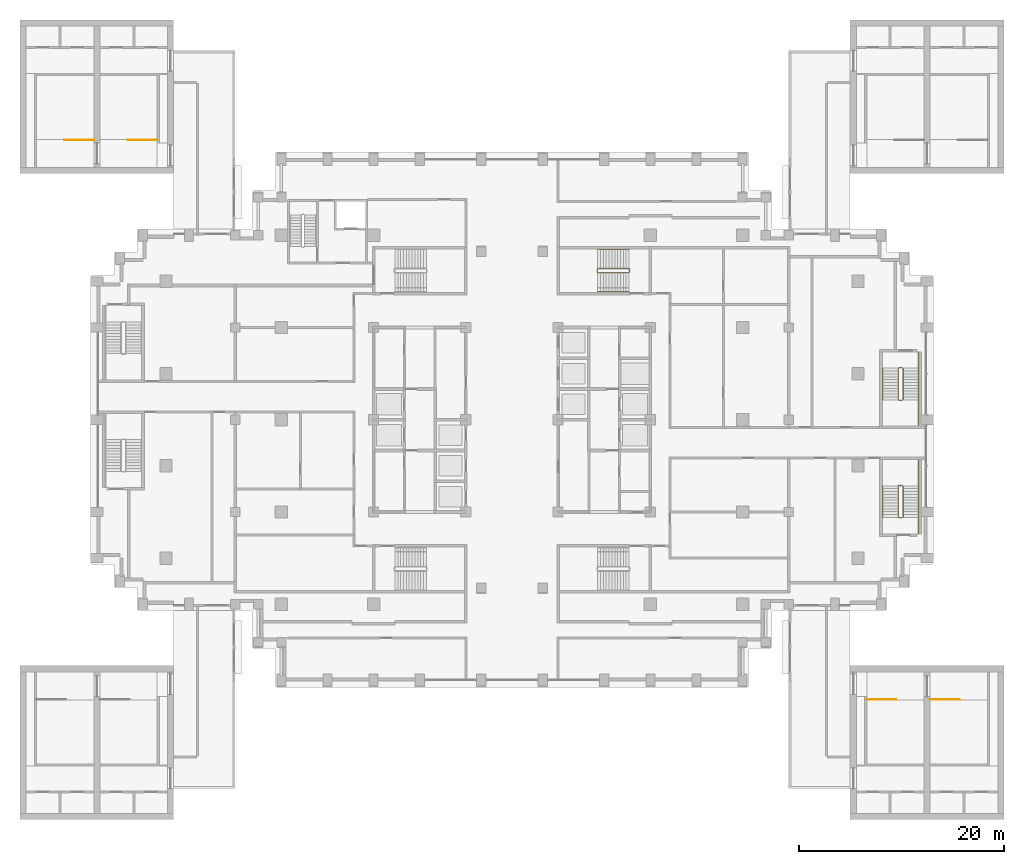
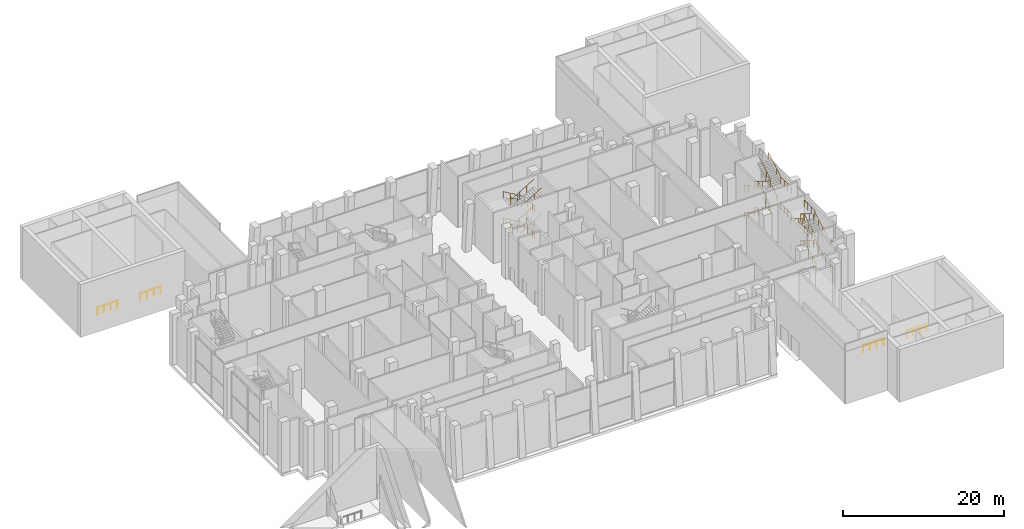
# One storey, part 22 of 24: 7 railings.
"""IFC4 building model written with IfcOpenShell, lengths in metres."""

import ifcopenshell
import ifcopenshell.guid

model = None  # the IFC model being written
_history = None  # IfcOwnerHistory: only IFC2X3 demands one
_inside = {}  # id of a spatial element -> (the spatial element, [elements in it])
_under = {}  # id of a project, library or spatial element -> (it, [spatial elements below it])
_declared = {}  # id of a project -> (the project, [libraries it declares])
_typed = {}  # id of a type object -> (the type object, [elements of that type])
_made_of = {}  # id of a material, layer set ... -> (it, [elements and type objects made of it])


def new_model(schema):
    """Start an empty IFC model of exactly this schema.

    Asked for "IFC4X3", IfcOpenShell would pick the latest addendum, in which some entities
    have other attributes; the version numbers below select the first issue.
    IFC2X3 requires an IfcOwnerHistory on every rooted entity: one is made here for all.
    """
    global model, _history
    if schema == "IFC4X3":
        model = ifcopenshell.file(schema_version=(4, 3, 0, 0))
    else:
        model = ifcopenshell.file(schema=schema)
    _inside.clear()
    _under.clear()
    _declared.clear()
    _typed.clear()
    _made_of.clear()
    _history = None
    if model.schema == "IFC2X3":
        org = make("IfcOrganization", Name="unknown")
        user = make(
            "IfcPersonAndOrganization",
            ThePerson=make("IfcPerson", FamilyName="unknown"),
            TheOrganization=org,
        )
        app = make(
            "IfcApplication",
            ApplicationDeveloper=org,
            Version="unknown",
            ApplicationFullName="unknown",
            ApplicationIdentifier="unknown",
        )
        _history = make(
            "IfcOwnerHistory",
            OwningUser=user,
            OwningApplication=app,
            ChangeAction="ADDED",
            CreationDate=0,
        )
    return model


def make(cls, **values):
    """One entity of the class cls with the attributes given. An attribute that is None is left unset."""
    return model.create_entity(
        cls, **{name: value for name, value in values.items() if value is not None}
    )


def rooted(cls, **values):
    """An entity with a GlobalId (a new one), such as an element, a storey or a relation."""
    return make(cls, GlobalId=ifcopenshell.guid.new(), OwnerHistory=_history, **values)


def si_unit(unit_type, name, prefix=None):
    """IfcSIUnit, for example si_unit("LENGTHUNIT", "METRE", prefix="MILLI")."""
    return make("IfcSIUnit", UnitType=unit_type, Prefix=prefix, Name=name)


def assignment(units):
    """IfcUnitAssignment: the units of a project."""
    return None if units is None else make("IfcUnitAssignment", Units=units)


def point(xyz):
    """IfcCartesianPoint."""
    return None if xyz is None else make("IfcCartesianPoint", Coordinates=xyz)


def direction(xyz):
    """IfcDirection."""
    return None if xyz is None else make("IfcDirection", DirectionRatios=xyz)


def frame(location, z_axis=None, x_axis=None):
    """IfcAxis2Placement3D, a coordinate frame: its origin and axes. An axis left out is left unset."""
    return make(
        "IfcAxis2Placement3D",
        Location=point(location),
        Axis=direction(z_axis),
        RefDirection=direction(x_axis),
    )


def frame_2d(location, x_axis=None):
    """IfcAxis2Placement2D, a coordinate frame in the plane: its origin and x axis."""
    return make(
        "IfcAxis2Placement2D", Location=point(location), RefDirection=direction(x_axis)
    )


def origin():
    """The frame at (0, 0, 0) with its axes left unset."""
    return frame((0.0, 0.0, 0.0))


def origin_2d():
    """The frame at (0, 0) in the plane with its x axis left unset."""
    return frame_2d((0.0, 0.0))


def place(relative_to, where):
    """IfcLocalPlacement: puts the frame where relative to a parent placement (None: the world)."""
    return make(
        "IfcLocalPlacement", PlacementRelTo=relative_to, RelativePlacement=where
    )


def context(
    kind, dimensions, precision=None, world=None, true_north=None, identifier=None
):
    """IfcGeometricRepresentationContext, for example the 3D "Model" context."""
    return make(
        "IfcGeometricRepresentationContext",
        ContextIdentifier=identifier,
        ContextType=kind,
        CoordinateSpaceDimension=dimensions,
        Precision=precision,
        WorldCoordinateSystem=world,
        TrueNorth=true_north,
    )


def subcontext(parent, identifier, kind, view, scale=None):
    """IfcGeometricRepresentationSubContext, for example "Body" below "Model"."""
    return make(
        "IfcGeometricRepresentationSubContext",
        ContextIdentifier=identifier,
        ContextType=kind,
        ParentContext=parent,
        TargetScale=scale,
        TargetView=view,
    )


def project(units=None, contexts=None):
    """IfcProject with its units and contexts."""
    return rooted(
        "IfcProject",
        Name="project",
        RepresentationContexts=contexts,
        UnitsInContext=assignment(units),
    )


def spatial(cls, under=None, at=None, **own):
    """A site, building, storey or space (cls), placed at a placement, below another one or the project."""
    s = rooted(cls, ObjectPlacement=at, **own)
    if under is not None:
        _under.setdefault(under.id(), (under, []))[1].append(s)
    return s


def profile(cls, at=None, kind="AREA", **sizes):
    """A parametric profile (cls). Its sizes go by their IFC names, for example OverallWidth=200.0."""
    return make(cls, ProfileType=kind, Position=at, **sizes)


def circle(**sizes):
    """IfcCircleProfileDef."""
    return profile("IfcCircleProfileDef", **sizes)


def extrude(swept, where, along, depth):
    """IfcExtrudedAreaSolid: the profile swept, set in the frame where, extruded along a direction by depth."""
    return make(
        "IfcExtrudedAreaSolid",
        SweptArea=swept,
        Position=where,
        ExtrudedDirection=direction(along),
        Depth=depth,
    )


def shape(context_of_items, identifier, shape_type, items):
    """IfcShapeRepresentation: the items that make up one representation, for example the "Body"."""
    return make(
        "IfcShapeRepresentation",
        ContextOfItems=context_of_items,
        RepresentationIdentifier=identifier,
        RepresentationType=shape_type,
        Items=items,
    )


def material(Name=None, Category=None):
    """IfcMaterial."""
    return make("IfcMaterial", Name=Name, Category=Category)


def made_of(thing, what):
    """Note that an element or type object is made of a material, layer set ...; save() writes the relation."""
    if what is not None:
        _made_of.setdefault(what.id(), (what, []))[1].append(thing)
    return thing


def type_object(cls, material=None, **own):
    """A type object (cls), such as IfcWallType, which elements share."""
    return made_of(rooted(cls, **own), material)


def element(
    cls,
    number,
    at=None,
    inside=None,
    cuts=None,
    type_object=None,
    material=None,
    context=None,
    identifier="Body",
    shape_type=None,
    held_by="IfcProductDefinitionShape",
    body=None,
    shapes=None,
    **own,
):
    """One element of the class cls, such as IfcWall. Its Tag is "e" and its number.

    at: its placement. inside: the storey or other place that contains it. cuts: it is an
    opening in that element (IfcRelVoidsElement). A single representation is given by context,
    identifier, shape_type and body (its items); several are given by shapes. held_by: the class
    of the entity that holds the representations. save() writes the other relations.
    """
    e = rooted(cls, Tag="e%d" % number, ObjectPlacement=at, **own)
    if body is not None:
        shapes = [shape(context, identifier, shape_type, body)]
    if shapes is not None:
        e.Representation = make(held_by, Representations=shapes)
    if inside is not None:
        _inside.setdefault(inside.id(), (inside, []))[1].append(e)
    if cuts is not None:
        rooted(
            "IfcRelVoidsElement", RelatingBuildingElement=cuts, RelatedOpeningElement=e
        )
    if type_object is not None:
        _typed.setdefault(type_object.id(), (type_object, []))[1].append(e)
    return made_of(e, material)


def aggregate(whole, parts):
    """IfcRelAggregates: a whole, such as a stair, and the parts it consists of."""
    return rooted("IfcRelAggregates", RelatingObject=whole, RelatedObjects=parts)


def save(model, path):
    """Write the relations noted so far, then the file.

    IfcRelAggregates (storeys below a building ...), IfcRelContainedInSpatialStructure (elements
    in a storey), IfcRelDefinesByType, IfcRelAssociatesMaterial and IfcRelDeclares: one each for
    every whole, place, type object, material and project.
    """
    for whole, parts in _under.values():
        aggregate(whole, parts)
    for where, things in _inside.values():
        rooted(
            "IfcRelContainedInSpatialStructure",
            RelatedElements=things,
            RelatingStructure=where,
        )
    for kind, things in _typed.values():
        rooted("IfcRelDefinesByType", RelatedObjects=things, RelatingType=kind)
    for what, things in _made_of.values():
        rooted("IfcRelAssociatesMaterial", RelatedObjects=things, RelatingMaterial=what)
    for by, libraries in _declared.values():
        rooted("IfcRelDeclares", RelatingContext=by, RelatedDefinitions=libraries)
    model.write(path)


model = new_model("IFC4")

# Units and contexts
model_context = context("Model", 3, precision=1e-05, world=origin(), true_north=direction((0.0, 1.0)))
body_context = subcontext(model_context, "Body", "Model", "MODEL_VIEW")
ifc_project = project(units=[si_unit("LENGTHUNIT", "METRE"), si_unit("AREAUNIT", "SQUARE_METRE"), si_unit("VOLUMEUNIT", "CUBIC_METRE"), si_unit("PLANEANGLEUNIT", "RADIAN"), si_unit("MASSUNIT", "GRAM", prefix="KILO")], contexts=[model_context])

# Site, building, storey
site_placement = place(None, origin())
site = spatial("IfcSite", under=ifc_project, at=site_placement, CompositionType="ELEMENT")
building_placement = place(site_placement, origin())
building = spatial("IfcBuilding", under=site, at=building_placement, Name="Corbelhall Arena Tower", CompositionType="ELEMENT")
storey_placement = place(building_placement, frame((0.0, 0.0, 60.0)))
storey = spatial("IfcBuildingStorey", under=building, at=storey_placement, Name="L08", CompositionType="ELEMENT", Elevation=60.0)

# Railings
ifc_material_1 = material(Name="Stainless steel A4", Category="steel")
railing_type_1 = type_object("IfcRailingType", Name="AR-STAIR-GUARD", PredefinedType="GUARDRAIL", material=ifc_material_1)
for number, where, name in (
    (1, (-34.610107421875, 27.27001953125, 0.0), "L08 AS3 top well guards"),
    (2, (-40.800048828125, 27.27001953125, 0.0), "L08 AS4 top well guards"),
):
    element("IfcRailing", number, at=place(storey_placement, frame(where)), inside=storey, type_object=railing_type_1, Name=name, PredefinedType="GUARDRAIL", context=body_context, shape_type="SweptSolid", body=[
        extrude(circle(Radius=0.02392578125, at=origin_2d()), frame((0.0, 0.0, 1.076171875), z_axis=(-1.0, 0.0, 0.0), x_axis=(0.0, -1.0, 0.0)), (0.0, 0.0, 1.0), 2.869873046875),
        extrude(circle(Radius=0.02099609375, at=origin_2d()), origin(), (0.0, 0.0, 1.0), 1.052001953125),
        extrude(circle(Radius=0.02099609375, at=origin_2d()), frame((-0.95654296875, 0.0, 0.0)), (0.0, 0.0, 1.0), 1.052001953125),
        extrude(circle(Radius=0.02099609375, at=origin_2d()), frame((-1.913330078125, 0.0, 0.0)), (0.0, 0.0, 1.0), 1.052001953125),
        extrude(circle(Radius=0.02099609375, at=origin_2d()), frame((-2.869873046875, 0.0, 0.0)), (0.0, 0.0, 1.0), 1.052001953125),
    ])
for number, where, name in (
    (3, (34.610107421875, -27.27001953125, 0.0), "L08 AS5 top well guards"),
    (4, (40.800048828125, -27.27001953125, 0.0), "L08 AS6 top well guards"),
):
    element("IfcRailing", number, at=place(storey_placement, frame(where)), inside=storey, type_object=railing_type_1, Name=name, PredefinedType="GUARDRAIL", context=body_context, shape_type="SweptSolid", body=[
        extrude(circle(Radius=0.02392578125, at=origin_2d()), frame((0.0, 0.0, 1.076171875), z_axis=(1.0, 0.0, 0.0), x_axis=(0.0, 1.0, 0.0)), (0.0, 0.0, 1.0), 2.869873046875),
        extrude(circle(Radius=0.02099609375, at=origin_2d()), origin(), (0.0, 0.0, 1.0), 1.052001953125),
        extrude(circle(Radius=0.02099609375, at=origin_2d()), frame((0.95654296875, 0.0, 0.0)), (0.0, 0.0, 1.0), 1.052001953125),
        extrude(circle(Radius=0.02099609375, at=origin_2d()), frame((1.913330078125, 0.0, 0.0)), (0.0, 0.0, 1.0), 1.052001953125),
        extrude(circle(Radius=0.02099609375, at=origin_2d()), frame((2.869873046875, 0.0, 0.0)), (0.0, 0.0, 1.0), 1.052001953125),
    ])
ifc_material_2 = material(Name="Steel ASTM A500 Gr C", Category="steel")
railing_type_2 = type_object("IfcRailingType", Name="IN-GD-1100", PredefinedType="GUARDRAIL", material=ifc_material_2)
railing_1_placement = place(storey_placement, frame((11.425048828125, 14.77490234375, 0.166748046875)))
element("IfcRailing", 5, at=railing_1_placement, inside=storey, type_object=railing_type_2, Name="L08 ST3 stair guards and handrails", PredefinedType="GUARDRAIL", context=body_context, shape_type="SweptSolid", body=[
    extrude(circle(Radius=0.02392578125, at=origin_2d()), frame((0.0, 0.0, 1.076171875), z_axis=(-0.859308565015, 0.0, 0.511457515432), x_axis=(0.0, -1.0, 0.0)), (0.0, 0.0, 1.0), 3.58447265625),
    extrude(circle(Radius=0.02392578125, at=origin_2d()), frame((-3.130126953125, -0.0498046875, 2.9091796875), z_axis=(0.0, -1.0, 0.0), x_axis=(1.0, 0.0, 0.0)), (0.0, 0.0, 1.0), 0.35009765625),
    extrude(circle(Radius=0.02392578125, at=origin_2d()), frame((-3.080078125, -0.449951171875, 3.076171875), z_axis=(0.859308565015, 0.0, 0.511457515432), x_axis=(0.0, 1.0, 0.0)), (0.0, 0.0, 1.0), 3.58447265625),
    extrude(circle(Radius=0.02392578125, at=origin_2d()), frame((0.050048828125, -0.0498046875, 4.9091796875), z_axis=(0.0, -1.0, 0.0), x_axis=(1.0, 0.0, 0.0)), (0.0, 0.0, 1.0), 0.35009765625),
    extrude(circle(Radius=0.02392578125, at=origin_2d()), frame((0.0, 0.0, 5.076171875), z_axis=(-0.859308565015, 0.0, 0.511457515432), x_axis=(0.0, -1.0, 0.0)), (0.0, 0.0, 1.0), 3.58447265625),
    extrude(circle(Radius=0.02392578125, at=origin_2d()), frame((-3.130126953125, -0.0498046875, 6.9091796875), z_axis=(0.0, -1.0, 0.0), x_axis=(1.0, 0.0, 0.0)), (0.0, 0.0, 1.0), 0.35009765625),
    extrude(circle(Radius=0.02392578125, at=origin_2d()), frame((-3.080078125, -0.449951171875, 7.076171875), z_axis=(0.859308565015, 0.0, 0.511457515432), x_axis=(0.0, 1.0, 0.0)), (0.0, 0.0, 1.0), 3.58447265625),
    extrude(circle(Radius=0.02392578125, at=origin_2d()), frame((0.050048828125, -0.0498046875, 0.9091796875), z_axis=(0.0, -1.0, 0.0), x_axis=(1.0, 0.0, 0.0)), (0.0, 0.0, 1.0), 0.35009765625),
    extrude(circle(Radius=0.02392578125, at=origin_2d()), frame((0.0, 1.85009765625, 0.8759765625), z_axis=(-0.859308565015, 0.0, 0.511457515432), x_axis=(0.0, -1.0, 0.0)), (0.0, 0.0, 1.0), 3.58447265625),
    extrude(circle(Radius=0.02392578125, at=origin_2d()), frame((-3.080078125, -2.2998046875, 2.8759765625), z_axis=(0.859308565015, 0.0, 0.511457515432), x_axis=(0.0, 1.0, 0.0)), (0.0, 0.0, 1.0), 3.58447265625),
    extrude(circle(Radius=0.02392578125, at=origin_2d()), frame((0.0, 1.85009765625, 4.8759765625), z_axis=(-0.859308565015, 0.0, 0.511457515432), x_axis=(0.0, -1.0, 0.0)), (0.0, 0.0, 1.0), 3.58447265625),
    extrude(circle(Radius=0.02392578125, at=origin_2d()), frame((-3.080078125, -2.2998046875, 6.8759765625), z_axis=(0.859308565015, 0.0, 0.511457515432), x_axis=(0.0, 1.0, 0.0)), (0.0, 0.0, 1.0), 3.58447265625),
    extrude(circle(Radius=0.02099609375, at=origin_2d()), origin(), (0.0, 0.0, 1.0), 1.052001953125),
    extrude(circle(Radius=0.02099609375, at=origin_2d()), frame((-1.026611328125, 0.0, 0.611083984375)), (0.0, 0.0, 1.0), 1.052001953125),
    extrude(circle(Radius=0.02099609375, at=origin_2d()), frame((-2.053466796875, 0.0, 1.22216796875)), (0.0, 0.0, 1.0), 1.052001953125),
    extrude(circle(Radius=0.02099609375, at=origin_2d()), frame((-3.080078125, 0.0, 1.833251953125)), (0.0, 0.0, 1.0), 1.052001953125),
    extrude(circle(Radius=0.02099609375, at=origin_2d()), frame((-3.130126953125, -0.0498046875, 1.833251953125)), (0.0, 0.0, 1.0), 1.052001953125),
    extrude(circle(Radius=0.02099609375, at=origin_2d()), frame((-3.130126953125, -0.39990234375, 1.833251953125)), (0.0, 0.0, 1.0), 1.052001953125),
    extrude(circle(Radius=0.02099609375, at=origin_2d()), frame((-3.080078125, -0.449951171875, 2.0)), (0.0, 0.0, 1.0), 1.052001953125),
    extrude(circle(Radius=0.02099609375, at=origin_2d()), frame((-2.053466796875, -0.449951171875, 2.611083984375)), (0.0, 0.0, 1.0), 1.052001953125),
    extrude(circle(Radius=0.02099609375, at=origin_2d()), frame((-1.026611328125, -0.449951171875, 3.22216796875)), (0.0, 0.0, 1.0), 1.052001953125),
    extrude(circle(Radius=0.02099609375, at=origin_2d()), frame((0.0, -0.449951171875, 3.833251953125)), (0.0, 0.0, 1.0), 1.052001953125),
    extrude(circle(Radius=0.02099609375, at=origin_2d()), frame((0.050048828125, -0.0498046875, 3.833251953125)), (0.0, 0.0, 1.0), 1.052001953125),
    extrude(circle(Radius=0.02099609375, at=origin_2d()), frame((0.050048828125, -0.39990234375, 3.833251953125)), (0.0, 0.0, 1.0), 1.052001953125),
    extrude(circle(Radius=0.02099609375, at=origin_2d()), frame((0.0, 0.0, 4.0)), (0.0, 0.0, 1.0), 1.052001953125),
    extrude(circle(Radius=0.02099609375, at=origin_2d()), frame((-1.026611328125, 0.0, 4.611083984375)), (0.0, 0.0, 1.0), 1.052001953125),
    extrude(circle(Radius=0.02099609375, at=origin_2d()), frame((-2.053466796875, 0.0, 5.22216796875)), (0.0, 0.0, 1.0), 1.052001953125),
    extrude(circle(Radius=0.02099609375, at=origin_2d()), frame((-3.080078125, 0.0, 5.833251953125)), (0.0, 0.0, 1.0), 1.052001953125),
    extrude(circle(Radius=0.02099609375, at=origin_2d()), frame((-3.130126953125, -0.0498046875, 5.833251953125)), (0.0, 0.0, 1.0), 1.052001953125),
    extrude(circle(Radius=0.02099609375, at=origin_2d()), frame((-3.130126953125, -0.39990234375, 5.833251953125)), (0.0, 0.0, 1.0), 1.052001953125),
    extrude(circle(Radius=0.02099609375, at=origin_2d()), frame((-3.080078125, -0.449951171875, 6.0)), (0.0, 0.0, 1.0), 1.052001953125),
    extrude(circle(Radius=0.02099609375, at=origin_2d()), frame((-2.053466796875, -0.449951171875, 6.611083984375)), (0.0, 0.0, 1.0), 1.052001953125),
    extrude(circle(Radius=0.02099609375, at=origin_2d()), frame((-1.026611328125, -0.449951171875, 7.22216796875)), (0.0, 0.0, 1.0), 1.052001953125),
    extrude(circle(Radius=0.02099609375, at=origin_2d()), frame((0.0, -0.449951171875, 7.833251953125)), (0.0, 0.0, 1.0), 1.052001953125),
    extrude(circle(Radius=0.02099609375, at=origin_2d()), frame((0.050048828125, -0.0498046875, -0.166748046875)), (0.0, 0.0, 1.0), 1.052001953125),
    extrude(circle(Radius=0.02099609375, at=origin_2d()), frame((0.050048828125, -0.39990234375, -0.166748046875)), (0.0, 0.0, 1.0), 1.052001953125),
    extrude(circle(Radius=0.02099609375, at=origin_2d()), frame((0.0, 1.85009765625, 0.0)), (0.0, 0.0, 1.0), 0.851806640625),
    extrude(circle(Radius=0.02099609375, at=origin_2d()), frame((-1.026611328125, 1.85009765625, 0.611083984375)), (0.0, 0.0, 1.0), 0.851806640625),
    extrude(circle(Radius=0.02099609375, at=origin_2d()), frame((-2.053466796875, 1.85009765625, 1.22216796875)), (0.0, 0.0, 1.0), 0.851806640625),
    extrude(circle(Radius=0.02099609375, at=origin_2d()), frame((-3.080078125, 1.85009765625, 1.833251953125)), (0.0, 0.0, 1.0), 0.851806640625),
    extrude(circle(Radius=0.02099609375, at=origin_2d()), frame((-3.080078125, -2.2998046875, 2.0)), (0.0, 0.0, 1.0), 0.851806640625),
    extrude(circle(Radius=0.02099609375, at=origin_2d()), frame((-2.053466796875, -2.2998046875, 2.611083984375)), (0.0, 0.0, 1.0), 0.851806640625),
    extrude(circle(Radius=0.02099609375, at=origin_2d()), frame((-1.026611328125, -2.2998046875, 3.22216796875)), (0.0, 0.0, 1.0), 0.851806640625),
    extrude(circle(Radius=0.02099609375, at=origin_2d()), frame((0.0, -2.2998046875, 3.833251953125)), (0.0, 0.0, 1.0), 0.851806640625),
    extrude(circle(Radius=0.02099609375, at=origin_2d()), frame((0.0, 1.85009765625, 4.0)), (0.0, 0.0, 1.0), 0.851806640625),
    extrude(circle(Radius=0.02099609375, at=origin_2d()), frame((-1.026611328125, 1.85009765625, 4.611083984375)), (0.0, 0.0, 1.0), 0.851806640625),
    extrude(circle(Radius=0.02099609375, at=origin_2d()), frame((-2.053466796875, 1.85009765625, 5.22216796875)), (0.0, 0.0, 1.0), 0.851806640625),
    extrude(circle(Radius=0.02099609375, at=origin_2d()), frame((-3.080078125, 1.85009765625, 5.833251953125)), (0.0, 0.0, 1.0), 0.851806640625),
    extrude(circle(Radius=0.02099609375, at=origin_2d()), frame((-3.080078125, -2.2998046875, 6.0)), (0.0, 0.0, 1.0), 0.851806640625),
    extrude(circle(Radius=0.02099609375, at=origin_2d()), frame((-2.053466796875, -2.2998046875, 6.611083984375)), (0.0, 0.0, 1.0), 0.851806640625),
    extrude(circle(Radius=0.02099609375, at=origin_2d()), frame((-1.026611328125, -2.2998046875, 7.22216796875)), (0.0, 0.0, 1.0), 0.851806640625),
    extrude(circle(Radius=0.02099609375, at=origin_2d()), frame((0.0, -2.2998046875, 7.833251953125)), (0.0, 0.0, 1.0), 0.851806640625),
])
railing_2_placement = place(storey_placement, frame((38.14990234375, -9.52490234375, 0.166748046875)))
element("IfcRailing", 6, at=railing_2_placement, inside=storey, type_object=railing_type_2, Name="L08 SD1 stair guards and handrails", PredefinedType="GUARDRAIL", context=body_context, shape_type="SweptSolid", body=[
    extrude(circle(Radius=0.02392578125, at=origin_2d()), frame((0.0, 0.0, 1.076171875), z_axis=(0.0, 0.859290745958, 0.51148745235), x_axis=(-1.0, 0.0, 0.0)), (0.0, 0.0, 1.0), 3.584228515625),
    extrude(circle(Radius=0.02392578125, at=origin_2d()), frame((-0.0498046875, 3.1298828125, 2.9091796875), z_axis=(-1.0, 0.0, 0.0), x_axis=(0.0, -1.0, 0.0)), (0.0, 0.0, 1.0), 0.375),
    extrude(circle(Radius=0.02392578125, at=origin_2d()), frame((1.5, 3.079833984375, 2.9091796875), z_axis=(0.0, 1.0, 0.0), x_axis=(-1.0, 0.0, 0.0)), (0.0, 0.0, 1.0), 2.570068359375),
    extrude(circle(Radius=0.02392578125, at=origin_2d()), frame((-0.474853515625, 3.079833984375, 3.076171875), z_axis=(0.0, -0.859290745958, 0.51148745235), x_axis=(1.0, 0.0, 0.0)), (0.0, 0.0, 1.0), 3.584228515625),
    extrude(circle(Radius=0.02392578125, at=origin_2d()), frame((-0.0498046875, -0.050048828125, 4.9091796875), z_axis=(-1.0, 0.0, 0.0), x_axis=(0.0, -1.0, 0.0)), (0.0, 0.0, 1.0), 0.375),
    extrude(circle(Radius=0.02392578125, at=origin_2d()), frame((1.5, -1.60009765625, 4.9091796875), z_axis=(0.0, 1.0, 0.0), x_axis=(-1.0, 0.0, 0.0)), (0.0, 0.0, 1.0), 1.60009765625),
    extrude(circle(Radius=0.02392578125, at=origin_2d()), frame((0.0, 0.0, 5.076171875), z_axis=(0.0, 0.859290745958, 0.51148745235), x_axis=(-1.0, 0.0, 0.0)), (0.0, 0.0, 1.0), 3.584228515625),
    extrude(circle(Radius=0.02392578125, at=origin_2d()), frame((-0.0498046875, 3.1298828125, 6.9091796875), z_axis=(-1.0, 0.0, 0.0), x_axis=(0.0, -1.0, 0.0)), (0.0, 0.0, 1.0), 0.375),
    extrude(circle(Radius=0.02392578125, at=origin_2d()), frame((1.5, 3.079833984375, 6.9091796875), z_axis=(0.0, 1.0, 0.0), x_axis=(-1.0, 0.0, 0.0)), (0.0, 0.0, 1.0), 2.570068359375),
    extrude(circle(Radius=0.02392578125, at=origin_2d()), frame((-0.474853515625, 3.079833984375, 7.076171875), z_axis=(0.0, -0.859290745958, 0.51148745235), x_axis=(1.0, 0.0, 0.0)), (0.0, 0.0, 1.0), 3.584228515625),
    extrude(circle(Radius=0.02392578125, at=origin_2d()), frame((-0.0498046875, -0.050048828125, 0.9091796875), z_axis=(-1.0, 0.0, 0.0), x_axis=(0.0, -1.0, 0.0)), (0.0, 0.0, 1.0), 0.375),
    extrude(circle(Radius=0.02392578125, at=origin_2d()), frame((1.5, -1.60009765625, 0.9091796875), z_axis=(0.0, 1.0, 0.0), x_axis=(-1.0, 0.0, 0.0)), (0.0, 0.0, 1.0), 1.60009765625),
    extrude(circle(Radius=0.02392578125, at=origin_2d()), frame((1.5, 0.0, 0.8759765625), z_axis=(0.0, 0.859290745958, 0.51148745235), x_axis=(-1.0, 0.0, 0.0)), (0.0, 0.0, 1.0), 3.584228515625),
    extrude(circle(Radius=0.02392578125, at=origin_2d()), frame((-1.974853515625, 3.079833984375, 2.8759765625), z_axis=(0.0, -0.859290745958, 0.51148745235), x_axis=(1.0, 0.0, 0.0)), (0.0, 0.0, 1.0), 3.584228515625),
    extrude(circle(Radius=0.02392578125, at=origin_2d()), frame((1.5, 0.0, 4.8759765625), z_axis=(0.0, 0.859290745958, 0.51148745235), x_axis=(-1.0, 0.0, 0.0)), (0.0, 0.0, 1.0), 3.584228515625),
    extrude(circle(Radius=0.02392578125, at=origin_2d()), frame((-1.974853515625, 3.079833984375, 6.8759765625), z_axis=(0.0, -0.859290745958, 0.51148745235), x_axis=(1.0, 0.0, 0.0)), (0.0, 0.0, 1.0), 3.584228515625),
    extrude(circle(Radius=0.02099609375, at=origin_2d()), origin(), (0.0, 0.0, 1.0), 1.052001953125),
    extrude(circle(Radius=0.02099609375, at=origin_2d()), frame((0.0, 1.026611328125, 0.611083984375)), (0.0, 0.0, 1.0), 1.052001953125),
    extrude(circle(Radius=0.02099609375, at=origin_2d()), frame((0.0, 2.05322265625, 1.22216796875)), (0.0, 0.0, 1.0), 1.052001953125),
    extrude(circle(Radius=0.02099609375, at=origin_2d()), frame((0.0, 3.079833984375, 1.833251953125)), (0.0, 0.0, 1.0), 1.052001953125),
    extrude(circle(Radius=0.02099609375, at=origin_2d()), frame((-0.0498046875, 3.1298828125, 1.833251953125)), (0.0, 0.0, 1.0), 1.052001953125),
    extrude(circle(Radius=0.02099609375, at=origin_2d()), frame((-0.4248046875, 3.1298828125, 1.833251953125)), (0.0, 0.0, 1.0), 1.052001953125),
    extrude(circle(Radius=0.02099609375, at=origin_2d()), frame((1.5, 3.079833984375, 1.833251953125)), (0.0, 0.0, 1.0), 1.052001953125),
    extrude(circle(Radius=0.02099609375, at=origin_2d()), frame((1.5, 3.9365234375, 1.833251953125)), (0.0, 0.0, 1.0), 1.052001953125),
    extrude(circle(Radius=0.02099609375, at=origin_2d()), frame((1.5, 4.793212890625, 1.833251953125)), (0.0, 0.0, 1.0), 1.052001953125),
    extrude(circle(Radius=0.02099609375, at=origin_2d()), frame((1.5, 5.64990234375, 1.833251953125)), (0.0, 0.0, 1.0), 1.052001953125),
    extrude(circle(Radius=0.02099609375, at=origin_2d()), frame((-0.474853515625, 3.079833984375, 2.0)), (0.0, 0.0, 1.0), 1.052001953125),
    extrude(circle(Radius=0.02099609375, at=origin_2d()), frame((-0.474853515625, 2.05322265625, 2.611083984375)), (0.0, 0.0, 1.0), 1.052001953125),
    extrude(circle(Radius=0.02099609375, at=origin_2d()), frame((-0.474853515625, 1.026611328125, 3.22216796875)), (0.0, 0.0, 1.0), 1.052001953125),
    extrude(circle(Radius=0.02099609375, at=origin_2d()), frame((-0.474853515625, 0.0, 3.833251953125)), (0.0, 0.0, 1.0), 1.052001953125),
    extrude(circle(Radius=0.02099609375, at=origin_2d()), frame((-0.0498046875, -0.050048828125, 3.833251953125)), (0.0, 0.0, 1.0), 1.052001953125),
    extrude(circle(Radius=0.02099609375, at=origin_2d()), frame((-0.4248046875, -0.050048828125, 3.833251953125)), (0.0, 0.0, 1.0), 1.052001953125),
    extrude(circle(Radius=0.02099609375, at=origin_2d()), frame((1.5, -1.60009765625, 3.833251953125)), (0.0, 0.0, 1.0), 1.052001953125),
    extrude(circle(Radius=0.02099609375, at=origin_2d()), frame((1.5, -0.800048828125, 3.833251953125)), (0.0, 0.0, 1.0), 1.052001953125),
    extrude(circle(Radius=0.02099609375, at=origin_2d()), frame((1.5, 0.0, 3.833251953125)), (0.0, 0.0, 1.0), 1.052001953125),
    extrude(circle(Radius=0.02099609375, at=origin_2d()), frame((0.0, 0.0, 4.0)), (0.0, 0.0, 1.0), 1.052001953125),
    extrude(circle(Radius=0.02099609375, at=origin_2d()), frame((0.0, 1.026611328125, 4.611083984375)), (0.0, 0.0, 1.0), 1.052001953125),
    extrude(circle(Radius=0.02099609375, at=origin_2d()), frame((0.0, 2.05322265625, 5.22216796875)), (0.0, 0.0, 1.0), 1.052001953125),
    extrude(circle(Radius=0.02099609375, at=origin_2d()), frame((0.0, 3.079833984375, 5.833251953125)), (0.0, 0.0, 1.0), 1.052001953125),
    extrude(circle(Radius=0.02099609375, at=origin_2d()), frame((-0.0498046875, 3.1298828125, 5.833251953125)), (0.0, 0.0, 1.0), 1.052001953125),
    extrude(circle(Radius=0.02099609375, at=origin_2d()), frame((-0.4248046875, 3.1298828125, 5.833251953125)), (0.0, 0.0, 1.0), 1.052001953125),
    extrude(circle(Radius=0.02099609375, at=origin_2d()), frame((1.5, 3.079833984375, 5.833251953125)), (0.0, 0.0, 1.0), 1.052001953125),
    extrude(circle(Radius=0.02099609375, at=origin_2d()), frame((1.5, 3.9365234375, 5.833251953125)), (0.0, 0.0, 1.0), 1.052001953125),
    extrude(circle(Radius=0.02099609375, at=origin_2d()), frame((1.5, 4.793212890625, 5.833251953125)), (0.0, 0.0, 1.0), 1.052001953125),
    extrude(circle(Radius=0.02099609375, at=origin_2d()), frame((1.5, 5.64990234375, 5.833251953125)), (0.0, 0.0, 1.0), 1.052001953125),
    extrude(circle(Radius=0.02099609375, at=origin_2d()), frame((-0.474853515625, 3.079833984375, 6.0)), (0.0, 0.0, 1.0), 1.052001953125),
    extrude(circle(Radius=0.02099609375, at=origin_2d()), frame((-0.474853515625, 2.05322265625, 6.611083984375)), (0.0, 0.0, 1.0), 1.052001953125),
    extrude(circle(Radius=0.02099609375, at=origin_2d()), frame((-0.474853515625, 1.026611328125, 7.22216796875)), (0.0, 0.0, 1.0), 1.052001953125),
    extrude(circle(Radius=0.02099609375, at=origin_2d()), frame((-0.474853515625, 0.0, 7.833251953125)), (0.0, 0.0, 1.0), 1.052001953125),
    extrude(circle(Radius=0.02099609375, at=origin_2d()), frame((-0.0498046875, -0.050048828125, -0.166748046875)), (0.0, 0.0, 1.0), 1.052001953125),
    extrude(circle(Radius=0.02099609375, at=origin_2d()), frame((-0.4248046875, -0.050048828125, -0.166748046875)), (0.0, 0.0, 1.0), 1.052001953125),
    extrude(circle(Radius=0.02099609375, at=origin_2d()), frame((1.5, -1.60009765625, -0.166748046875)), (0.0, 0.0, 1.0), 1.052001953125),
    extrude(circle(Radius=0.02099609375, at=origin_2d()), frame((1.5, -0.800048828125, -0.166748046875)), (0.0, 0.0, 1.0), 1.052001953125),
    extrude(circle(Radius=0.02099609375, at=origin_2d()), frame((1.5, 0.0, -0.166748046875)), (0.0, 0.0, 1.0), 1.052001953125),
    extrude(circle(Radius=0.02099609375, at=origin_2d()), frame((1.5, 0.0, 0.0)), (0.0, 0.0, 1.0), 0.851806640625),
    extrude(circle(Radius=0.02099609375, at=origin_2d()), frame((1.5, 1.026611328125, 0.611083984375)), (0.0, 0.0, 1.0), 0.851806640625),
    extrude(circle(Radius=0.02099609375, at=origin_2d()), frame((1.5, 2.05322265625, 1.22216796875)), (0.0, 0.0, 1.0), 0.851806640625),
    extrude(circle(Radius=0.02099609375, at=origin_2d()), frame((-1.974853515625, 3.079833984375, 2.0)), (0.0, 0.0, 1.0), 0.851806640625),
    extrude(circle(Radius=0.02099609375, at=origin_2d()), frame((-1.974853515625, 2.05322265625, 2.611083984375)), (0.0, 0.0, 1.0), 0.851806640625),
    extrude(circle(Radius=0.02099609375, at=origin_2d()), frame((-1.974853515625, 1.026611328125, 3.22216796875)), (0.0, 0.0, 1.0), 0.851806640625),
    extrude(circle(Radius=0.02099609375, at=origin_2d()), frame((-1.974853515625, 0.0, 3.833251953125)), (0.0, 0.0, 1.0), 0.851806640625),
    extrude(circle(Radius=0.02099609375, at=origin_2d()), frame((1.5, 0.0, 4.0)), (0.0, 0.0, 1.0), 0.851806640625),
    extrude(circle(Radius=0.02099609375, at=origin_2d()), frame((1.5, 1.026611328125, 4.611083984375)), (0.0, 0.0, 1.0), 0.851806640625),
    extrude(circle(Radius=0.02099609375, at=origin_2d()), frame((1.5, 2.05322265625, 5.22216796875)), (0.0, 0.0, 1.0), 0.851806640625),
    extrude(circle(Radius=0.02099609375, at=origin_2d()), frame((-1.974853515625, 3.079833984375, 6.0)), (0.0, 0.0, 1.0), 0.851806640625),
    extrude(circle(Radius=0.02099609375, at=origin_2d()), frame((-1.974853515625, 2.05322265625, 6.611083984375)), (0.0, 0.0, 1.0), 0.851806640625),
    extrude(circle(Radius=0.02099609375, at=origin_2d()), frame((-1.974853515625, 1.026611328125, 7.22216796875)), (0.0, 0.0, 1.0), 0.851806640625),
    extrude(circle(Radius=0.02099609375, at=origin_2d()), frame((-1.974853515625, 0.0, 7.833251953125)), (0.0, 0.0, 1.0), 0.851806640625),
])
railing_3_placement = place(storey_placement, frame((37.675048828125, 5.02490234375, 0.166748046875)))
element("IfcRailing", 7, at=railing_3_placement, inside=storey, type_object=railing_type_2, Name="L08 SD2 stair guards and handrails", PredefinedType="GUARDRAIL", context=body_context, shape_type="SweptSolid", body=[
    extrude(circle(Radius=0.02392578125, at=origin_2d()), frame((0.0, 0.0, 1.076171875), z_axis=(0.0, -0.859290745958, 0.51148745235), x_axis=(1.0, 0.0, 0.0)), (0.0, 0.0, 1.0), 3.584228515625),
    extrude(circle(Radius=0.02392578125, at=origin_2d()), frame((0.050048828125, -3.1298828125, 2.9091796875), z_axis=(1.0, 0.0, 0.0), x_axis=(0.0, 1.0, 0.0)), (0.0, 0.0, 1.0), 0.375),
    extrude(circle(Radius=0.02392578125, at=origin_2d()), frame((1.974853515625, -3.079833984375, 2.9091796875), z_axis=(0.0, -1.0, 0.0), x_axis=(1.0, 0.0, 0.0)), (0.0, 0.0, 1.0), 2.570068359375),
    extrude(circle(Radius=0.02392578125, at=origin_2d()), frame((0.474853515625, -3.079833984375, 3.076171875), z_axis=(0.0, 0.859290745958, 0.51148745235), x_axis=(-1.0, 0.0, 0.0)), (0.0, 0.0, 1.0), 3.584228515625),
    extrude(circle(Radius=0.02392578125, at=origin_2d()), frame((0.050048828125, 0.050048828125, 4.9091796875), z_axis=(1.0, 0.0, 0.0), x_axis=(0.0, 1.0, 0.0)), (0.0, 0.0, 1.0), 0.375),
    extrude(circle(Radius=0.02392578125, at=origin_2d()), frame((1.974853515625, 1.60009765625, 4.9091796875), z_axis=(0.0, -1.0, 0.0), x_axis=(1.0, 0.0, 0.0)), (0.0, 0.0, 1.0), 1.60009765625),
    extrude(circle(Radius=0.02392578125, at=origin_2d()), frame((0.0, 0.0, 5.076171875), z_axis=(0.0, -0.859290745958, 0.51148745235), x_axis=(1.0, 0.0, 0.0)), (0.0, 0.0, 1.0), 3.584228515625),
    extrude(circle(Radius=0.02392578125, at=origin_2d()), frame((0.050048828125, -3.1298828125, 6.9091796875), z_axis=(1.0, 0.0, 0.0), x_axis=(0.0, 1.0, 0.0)), (0.0, 0.0, 1.0), 0.375),
    extrude(circle(Radius=0.02392578125, at=origin_2d()), frame((1.974853515625, -3.079833984375, 6.9091796875), z_axis=(0.0, -1.0, 0.0), x_axis=(1.0, 0.0, 0.0)), (0.0, 0.0, 1.0), 2.570068359375),
    extrude(circle(Radius=0.02392578125, at=origin_2d()), frame((0.474853515625, -3.079833984375, 7.076171875), z_axis=(0.0, 0.859290745958, 0.51148745235), x_axis=(-1.0, 0.0, 0.0)), (0.0, 0.0, 1.0), 3.584228515625),
    extrude(circle(Radius=0.02392578125, at=origin_2d()), frame((0.050048828125, 0.050048828125, 0.9091796875), z_axis=(1.0, 0.0, 0.0), x_axis=(0.0, 1.0, 0.0)), (0.0, 0.0, 1.0), 0.375),
    extrude(circle(Radius=0.02392578125, at=origin_2d()), frame((1.974853515625, 1.60009765625, 0.9091796875), z_axis=(0.0, -1.0, 0.0), x_axis=(1.0, 0.0, 0.0)), (0.0, 0.0, 1.0), 1.60009765625),
    extrude(circle(Radius=0.02392578125, at=origin_2d()), frame((-1.5, 0.0, 0.8759765625), z_axis=(0.0, -0.859290745958, 0.51148745235), x_axis=(1.0, 0.0, 0.0)), (0.0, 0.0, 1.0), 3.584228515625),
    extrude(circle(Radius=0.02392578125, at=origin_2d()), frame((1.974853515625, -3.079833984375, 2.8759765625), z_axis=(0.0, 0.859290745958, 0.51148745235), x_axis=(-1.0, 0.0, 0.0)), (0.0, 0.0, 1.0), 3.584228515625),
    extrude(circle(Radius=0.02392578125, at=origin_2d()), frame((-1.5, 0.0, 4.8759765625), z_axis=(0.0, -0.859290745958, 0.51148745235), x_axis=(1.0, 0.0, 0.0)), (0.0, 0.0, 1.0), 3.584228515625),
    extrude(circle(Radius=0.02392578125, at=origin_2d()), frame((1.974853515625, -3.079833984375, 6.8759765625), z_axis=(0.0, 0.859290745958, 0.51148745235), x_axis=(-1.0, 0.0, 0.0)), (0.0, 0.0, 1.0), 3.584228515625),
    extrude(circle(Radius=0.02099609375, at=origin_2d()), origin(), (0.0, 0.0, 1.0), 1.052001953125),
    extrude(circle(Radius=0.02099609375, at=origin_2d()), frame((0.0, -1.026611328125, 0.611083984375)), (0.0, 0.0, 1.0), 1.052001953125),
    extrude(circle(Radius=0.02099609375, at=origin_2d()), frame((0.0, -2.05322265625, 1.22216796875)), (0.0, 0.0, 1.0), 1.052001953125),
    extrude(circle(Radius=0.02099609375, at=origin_2d()), frame((0.0, -3.079833984375, 1.833251953125)), (0.0, 0.0, 1.0), 1.052001953125),
    extrude(circle(Radius=0.02099609375, at=origin_2d()), frame((0.050048828125, -3.1298828125, 1.833251953125)), (0.0, 0.0, 1.0), 1.052001953125),
    extrude(circle(Radius=0.02099609375, at=origin_2d()), frame((0.425048828125, -3.1298828125, 1.833251953125)), (0.0, 0.0, 1.0), 1.052001953125),
    extrude(circle(Radius=0.02099609375, at=origin_2d()), frame((1.974853515625, -3.079833984375, 1.833251953125)), (0.0, 0.0, 1.0), 1.052001953125),
    extrude(circle(Radius=0.02099609375, at=origin_2d()), frame((1.974853515625, -3.9365234375, 1.833251953125)), (0.0, 0.0, 1.0), 1.052001953125),
    extrude(circle(Radius=0.02099609375, at=origin_2d()), frame((1.974853515625, -4.793212890625, 1.833251953125)), (0.0, 0.0, 1.0), 1.052001953125),
    extrude(circle(Radius=0.02099609375, at=origin_2d()), frame((1.974853515625, -5.64990234375, 1.833251953125)), (0.0, 0.0, 1.0), 1.052001953125),
    extrude(circle(Radius=0.02099609375, at=origin_2d()), frame((0.474853515625, -3.079833984375, 2.0)), (0.0, 0.0, 1.0), 1.052001953125),
    extrude(circle(Radius=0.02099609375, at=origin_2d()), frame((0.474853515625, -2.05322265625, 2.611083984375)), (0.0, 0.0, 1.0), 1.052001953125),
    extrude(circle(Radius=0.02099609375, at=origin_2d()), frame((0.474853515625, -1.026611328125, 3.22216796875)), (0.0, 0.0, 1.0), 1.052001953125),
    extrude(circle(Radius=0.02099609375, at=origin_2d()), frame((0.474853515625, 0.0, 3.833251953125)), (0.0, 0.0, 1.0), 1.052001953125),
    extrude(circle(Radius=0.02099609375, at=origin_2d()), frame((0.050048828125, 0.050048828125, 3.833251953125)), (0.0, 0.0, 1.0), 1.052001953125),
    extrude(circle(Radius=0.02099609375, at=origin_2d()), frame((0.425048828125, 0.050048828125, 3.833251953125)), (0.0, 0.0, 1.0), 1.052001953125),
    extrude(circle(Radius=0.02099609375, at=origin_2d()), frame((1.974853515625, 1.60009765625, 3.833251953125)), (0.0, 0.0, 1.0), 1.052001953125),
    extrude(circle(Radius=0.02099609375, at=origin_2d()), frame((1.974853515625, 0.800048828125, 3.833251953125)), (0.0, 0.0, 1.0), 1.052001953125),
    extrude(circle(Radius=0.02099609375, at=origin_2d()), frame((1.974853515625, 0.0, 3.833251953125)), (0.0, 0.0, 1.0), 1.052001953125),
    extrude(circle(Radius=0.02099609375, at=origin_2d()), frame((0.0, 0.0, 4.0)), (0.0, 0.0, 1.0), 1.052001953125),
    extrude(circle(Radius=0.02099609375, at=origin_2d()), frame((0.0, -1.026611328125, 4.611083984375)), (0.0, 0.0, 1.0), 1.052001953125),
    extrude(circle(Radius=0.02099609375, at=origin_2d()), frame((0.0, -2.05322265625, 5.22216796875)), (0.0, 0.0, 1.0), 1.052001953125),
    extrude(circle(Radius=0.02099609375, at=origin_2d()), frame((0.0, -3.079833984375, 5.833251953125)), (0.0, 0.0, 1.0), 1.052001953125),
    extrude(circle(Radius=0.02099609375, at=origin_2d()), frame((0.050048828125, -3.1298828125, 5.833251953125)), (0.0, 0.0, 1.0), 1.052001953125),
    extrude(circle(Radius=0.02099609375, at=origin_2d()), frame((0.425048828125, -3.1298828125, 5.833251953125)), (0.0, 0.0, 1.0), 1.052001953125),
    extrude(circle(Radius=0.02099609375, at=origin_2d()), frame((1.974853515625, -3.079833984375, 5.833251953125)), (0.0, 0.0, 1.0), 1.052001953125),
    extrude(circle(Radius=0.02099609375, at=origin_2d()), frame((1.974853515625, -3.9365234375, 5.833251953125)), (0.0, 0.0, 1.0), 1.052001953125),
    extrude(circle(Radius=0.02099609375, at=origin_2d()), frame((1.974853515625, -4.793212890625, 5.833251953125)), (0.0, 0.0, 1.0), 1.052001953125),
    extrude(circle(Radius=0.02099609375, at=origin_2d()), frame((1.974853515625, -5.64990234375, 5.833251953125)), (0.0, 0.0, 1.0), 1.052001953125),
    extrude(circle(Radius=0.02099609375, at=origin_2d()), frame((0.474853515625, -3.079833984375, 6.0)), (0.0, 0.0, 1.0), 1.052001953125),
    extrude(circle(Radius=0.02099609375, at=origin_2d()), frame((0.474853515625, -2.05322265625, 6.611083984375)), (0.0, 0.0, 1.0), 1.052001953125),
    extrude(circle(Radius=0.02099609375, at=origin_2d()), frame((0.474853515625, -1.026611328125, 7.22216796875)), (0.0, 0.0, 1.0), 1.052001953125),
    extrude(circle(Radius=0.02099609375, at=origin_2d()), frame((0.474853515625, 0.0, 7.833251953125)), (0.0, 0.0, 1.0), 1.052001953125),
    extrude(circle(Radius=0.02099609375, at=origin_2d()), frame((0.050048828125, 0.050048828125, -0.166748046875)), (0.0, 0.0, 1.0), 1.052001953125),
    extrude(circle(Radius=0.02099609375, at=origin_2d()), frame((0.425048828125, 0.050048828125, -0.166748046875)), (0.0, 0.0, 1.0), 1.052001953125),
    extrude(circle(Radius=0.02099609375, at=origin_2d()), frame((1.974853515625, 1.60009765625, -0.166748046875)), (0.0, 0.0, 1.0), 1.052001953125),
    extrude(circle(Radius=0.02099609375, at=origin_2d()), frame((1.974853515625, 0.800048828125, -0.166748046875)), (0.0, 0.0, 1.0), 1.052001953125),
    extrude(circle(Radius=0.02099609375, at=origin_2d()), frame((1.974853515625, 0.0, -0.166748046875)), (0.0, 0.0, 1.0), 1.052001953125),
    extrude(circle(Radius=0.02099609375, at=origin_2d()), frame((-1.5, 0.0, 0.0)), (0.0, 0.0, 1.0), 0.851806640625),
    extrude(circle(Radius=0.02099609375, at=origin_2d()), frame((-1.5, -1.026611328125, 0.611083984375)), (0.0, 0.0, 1.0), 0.851806640625),
    extrude(circle(Radius=0.02099609375, at=origin_2d()), frame((-1.5, -2.05322265625, 1.22216796875)), (0.0, 0.0, 1.0), 0.851806640625),
    extrude(circle(Radius=0.02099609375, at=origin_2d()), frame((-1.5, -3.079833984375, 1.833251953125)), (0.0, 0.0, 1.0), 0.851806640625),
    extrude(circle(Radius=0.02099609375, at=origin_2d()), frame((1.974853515625, -3.079833984375, 2.0)), (0.0, 0.0, 1.0), 0.851806640625),
    extrude(circle(Radius=0.02099609375, at=origin_2d()), frame((1.974853515625, -2.05322265625, 2.611083984375)), (0.0, 0.0, 1.0), 0.851806640625),
    extrude(circle(Radius=0.02099609375, at=origin_2d()), frame((1.974853515625, -1.026611328125, 3.22216796875)), (0.0, 0.0, 1.0), 0.851806640625),
    extrude(circle(Radius=0.02099609375, at=origin_2d()), frame((-1.5, 0.0, 4.0)), (0.0, 0.0, 1.0), 0.851806640625),
    extrude(circle(Radius=0.02099609375, at=origin_2d()), frame((-1.5, -1.026611328125, 4.611083984375)), (0.0, 0.0, 1.0), 0.851806640625),
    extrude(circle(Radius=0.02099609375, at=origin_2d()), frame((-1.5, -2.05322265625, 5.22216796875)), (0.0, 0.0, 1.0), 0.851806640625),
    extrude(circle(Radius=0.02099609375, at=origin_2d()), frame((-1.5, -3.079833984375, 5.833251953125)), (0.0, 0.0, 1.0), 0.851806640625),
    extrude(circle(Radius=0.02099609375, at=origin_2d()), frame((1.974853515625, -3.079833984375, 6.0)), (0.0, 0.0, 1.0), 0.851806640625),
    extrude(circle(Radius=0.02099609375, at=origin_2d()), frame((1.974853515625, -2.05322265625, 6.611083984375)), (0.0, 0.0, 1.0), 0.851806640625),
    extrude(circle(Radius=0.02099609375, at=origin_2d()), frame((1.974853515625, -1.026611328125, 7.22216796875)), (0.0, 0.0, 1.0), 0.851806640625),
    extrude(circle(Radius=0.02099609375, at=origin_2d()), frame((1.974853515625, 0.0, 7.833251953125)), (0.0, 0.0, 1.0), 0.851806640625),
])

save(model, "model.ifc")
